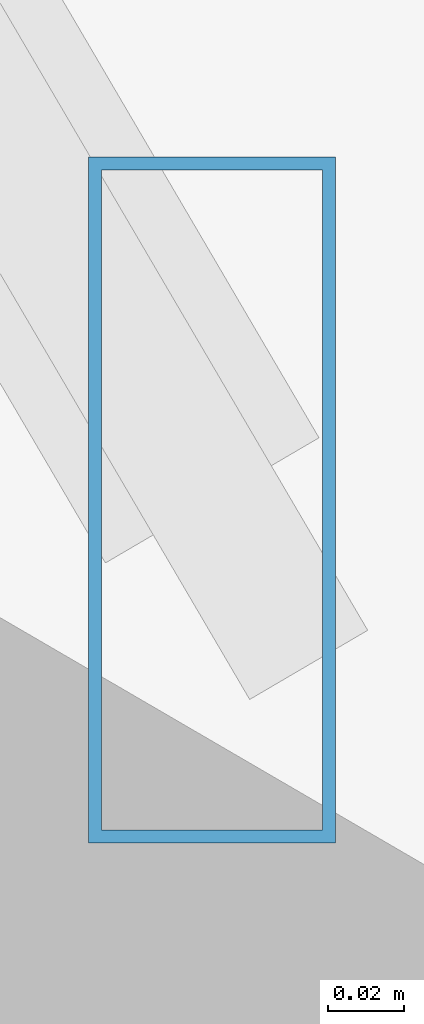
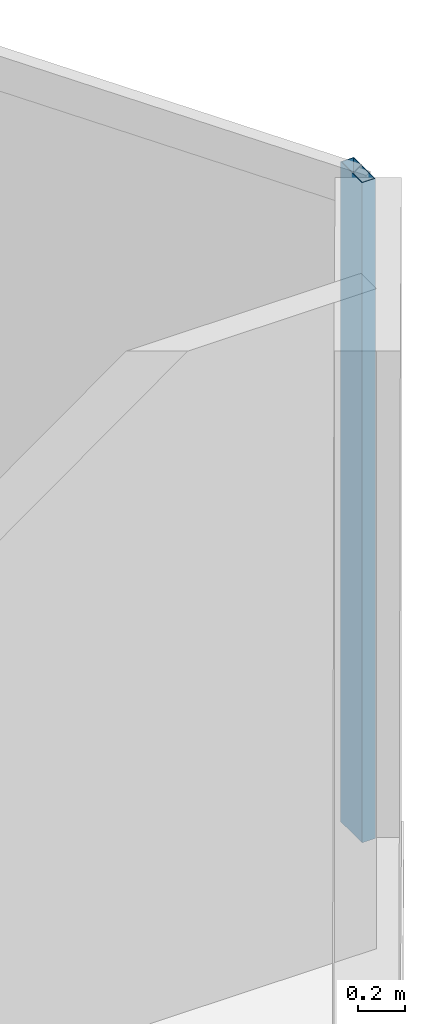
# One storey, part 14 of 29: 1 member, 1 element without a shape of its own.
"""IFC4 building model written with IfcOpenShell, lengths in metres."""

import ifcopenshell
import ifcopenshell.guid

model = None  # the IFC model being written
_history = None  # IfcOwnerHistory: only IFC2X3 demands one
_inside = {}  # id of a spatial element -> (the spatial element, [elements in it])
_under = {}  # id of a project, library or spatial element -> (it, [spatial elements below it])
_declared = {}  # id of a project -> (the project, [libraries it declares])
_typed = {}  # id of a type object -> (the type object, [elements of that type])
_made_of = {}  # id of a material, layer set ... -> (it, [elements and type objects made of it])


def new_model(schema):
    """Start an empty IFC model of exactly this schema.

    Asked for "IFC4X3", IfcOpenShell would pick the latest addendum, in which some entities
    have other attributes; the version numbers below select the first issue.
    IFC2X3 requires an IfcOwnerHistory on every rooted entity: one is made here for all.
    """
    global model, _history
    if schema == "IFC4X3":
        model = ifcopenshell.file(schema_version=(4, 3, 0, 0))
    else:
        model = ifcopenshell.file(schema=schema)
    _inside.clear()
    _under.clear()
    _declared.clear()
    _typed.clear()
    _made_of.clear()
    _history = None
    if model.schema == "IFC2X3":
        org = make("IfcOrganization", Name="unknown")
        user = make(
            "IfcPersonAndOrganization",
            ThePerson=make("IfcPerson", FamilyName="unknown"),
            TheOrganization=org,
        )
        app = make(
            "IfcApplication",
            ApplicationDeveloper=org,
            Version="unknown",
            ApplicationFullName="unknown",
            ApplicationIdentifier="unknown",
        )
        _history = make(
            "IfcOwnerHistory",
            OwningUser=user,
            OwningApplication=app,
            ChangeAction="ADDED",
            CreationDate=0,
        )
    return model


def make(cls, **values):
    """One entity of the class cls with the attributes given. An attribute that is None is left unset."""
    return model.create_entity(
        cls, **{name: value for name, value in values.items() if value is not None}
    )


def rooted(cls, **values):
    """An entity with a GlobalId (a new one), such as an element, a storey or a relation."""
    return make(cls, GlobalId=ifcopenshell.guid.new(), OwnerHistory=_history, **values)


def si_unit(unit_type, name, prefix=None):
    """IfcSIUnit, for example si_unit("LENGTHUNIT", "METRE", prefix="MILLI")."""
    return make("IfcSIUnit", UnitType=unit_type, Prefix=prefix, Name=name)


def assignment(units):
    """IfcUnitAssignment: the units of a project."""
    return None if units is None else make("IfcUnitAssignment", Units=units)


def point(xyz):
    """IfcCartesianPoint."""
    return None if xyz is None else make("IfcCartesianPoint", Coordinates=xyz)


def direction(xyz):
    """IfcDirection."""
    return None if xyz is None else make("IfcDirection", DirectionRatios=xyz)


def frame(location, z_axis=None, x_axis=None):
    """IfcAxis2Placement3D, a coordinate frame: its origin and axes. An axis left out is left unset."""
    return make(
        "IfcAxis2Placement3D",
        Location=point(location),
        Axis=direction(z_axis),
        RefDirection=direction(x_axis),
    )


def frame_2d(location, x_axis=None):
    """IfcAxis2Placement2D, a coordinate frame in the plane: its origin and x axis."""
    return make(
        "IfcAxis2Placement2D", Location=point(location), RefDirection=direction(x_axis)
    )


def origin():
    """The frame at (0, 0, 0) with its axes left unset."""
    return frame((0.0, 0.0, 0.0))


def origin_2d():
    """The frame at (0, 0) in the plane with its x axis left unset."""
    return frame_2d((0.0, 0.0))


def place(relative_to, where):
    """IfcLocalPlacement: puts the frame where relative to a parent placement (None: the world)."""
    return make(
        "IfcLocalPlacement", PlacementRelTo=relative_to, RelativePlacement=where
    )


def context(
    kind, dimensions, precision=None, world=None, true_north=None, identifier=None
):
    """IfcGeometricRepresentationContext, for example the 3D "Model" context."""
    return make(
        "IfcGeometricRepresentationContext",
        ContextIdentifier=identifier,
        ContextType=kind,
        CoordinateSpaceDimension=dimensions,
        Precision=precision,
        WorldCoordinateSystem=world,
        TrueNorth=true_north,
    )


def subcontext(parent, identifier, kind, view, scale=None):
    """IfcGeometricRepresentationSubContext, for example "Body" below "Model"."""
    return make(
        "IfcGeometricRepresentationSubContext",
        ContextIdentifier=identifier,
        ContextType=kind,
        ParentContext=parent,
        TargetScale=scale,
        TargetView=view,
    )


def project(units=None, contexts=None):
    """IfcProject with its units and contexts."""
    return rooted(
        "IfcProject",
        Name="project",
        RepresentationContexts=contexts,
        UnitsInContext=assignment(units),
    )


def spatial(cls, under=None, at=None, **own):
    """A site, building, storey or space (cls), placed at a placement, below another one or the project."""
    s = rooted(cls, ObjectPlacement=at, **own)
    if under is not None:
        _under.setdefault(under.id(), (under, []))[1].append(s)
    return s


def profile(cls, at=None, kind="AREA", **sizes):
    """A parametric profile (cls). Its sizes go by their IFC names, for example OverallWidth=200.0."""
    return make(cls, ProfileType=kind, Position=at, **sizes)


def hollow_rectangle(**sizes):
    """IfcRectangleHollowProfileDef."""
    return profile("IfcRectangleHollowProfileDef", **sizes)


def extrude(swept, where, along, depth):
    """IfcExtrudedAreaSolid: the profile swept, set in the frame where, extruded along a direction by depth."""
    return make(
        "IfcExtrudedAreaSolid",
        SweptArea=swept,
        Position=where,
        ExtrudedDirection=direction(along),
        Depth=depth,
    )


def shape(context_of_items, identifier, shape_type, items):
    """IfcShapeRepresentation: the items that make up one representation, for example the "Body"."""
    return make(
        "IfcShapeRepresentation",
        ContextOfItems=context_of_items,
        RepresentationIdentifier=identifier,
        RepresentationType=shape_type,
        Items=items,
    )


def source(mapping_origin, context_of_items, identifier, shape_type, items):
    """IfcRepresentationMap: a shape defined once, which mapped items show again and again."""
    return make(
        "IfcRepresentationMap",
        MappingOrigin=mapping_origin,
        MappedRepresentation=shape(context_of_items, identifier, shape_type, items),
    )


def transform(
    local_origin,
    x_axis=None,
    y_axis=None,
    z_axis=None,
    scale=None,
    scale2=None,
    scale3=None,
    uniform=True,
):
    """IfcCartesianTransformationOperator3D, or its non-uniform kind. x_axis, y_axis, z_axis: its Axis1, 2, 3."""
    if uniform:
        return make(
            "IfcCartesianTransformationOperator3D",
            Axis1=direction(x_axis),
            Axis2=direction(y_axis),
            LocalOrigin=point(local_origin),
            Scale=scale,
            Axis3=direction(z_axis),
        )
    return make(
        "IfcCartesianTransformationOperator3DnonUniform",
        Axis1=direction(x_axis),
        Axis2=direction(y_axis),
        LocalOrigin=point(local_origin),
        Scale=scale,
        Axis3=direction(z_axis),
        Scale2=scale2,
        Scale3=scale3,
    )


def mapped(mapping_source, mapping_target):
    """IfcMappedItem: shows the shape of a source again, moved by a transform."""
    return make(
        "IfcMappedItem", MappingSource=mapping_source, MappingTarget=mapping_target
    )


def material(Name=None, Category=None):
    """IfcMaterial."""
    return make("IfcMaterial", Name=Name, Category=Category)


def material_profile(
    of_material, cross_section, Name=None, Category=None, Priority=None
):
    """IfcMaterialProfile: a cross section and its material."""
    return make(
        "IfcMaterialProfile",
        Name=Name,
        Material=of_material,
        Profile=cross_section,
        Priority=Priority,
        Category=Category,
    )


def profile_set(profiles, Name=None, composite=None):
    """IfcMaterialProfileSet."""
    return make(
        "IfcMaterialProfileSet",
        Name=Name,
        MaterialProfiles=profiles,
        CompositeProfile=composite,
    )


def made_of(thing, what):
    """Note that an element or type object is made of a material, layer set ...; save() writes the relation."""
    if what is not None:
        _made_of.setdefault(what.id(), (what, []))[1].append(thing)
    return thing


def type_object(cls, material=None, **own):
    """A type object (cls), such as IfcWallType, which elements share."""
    return made_of(rooted(cls, **own), material)


def type_shapes(of_type, sources):
    """Give a type object the sources (RepresentationMaps) that its elements show as mapped items."""
    of_type.RepresentationMaps = sources


def element(
    cls,
    number,
    at=None,
    inside=None,
    cuts=None,
    type_object=None,
    material=None,
    context=None,
    identifier="Body",
    shape_type=None,
    held_by="IfcProductDefinitionShape",
    body=None,
    shapes=None,
    **own,
):
    """One element of the class cls, such as IfcWall. Its Tag is "e" and its number.

    at: its placement. inside: the storey or other place that contains it. cuts: it is an
    opening in that element (IfcRelVoidsElement). A single representation is given by context,
    identifier, shape_type and body (its items); several are given by shapes. held_by: the class
    of the entity that holds the representations. save() writes the other relations.
    """
    e = rooted(cls, Tag="e%d" % number, ObjectPlacement=at, **own)
    if body is not None:
        shapes = [shape(context, identifier, shape_type, body)]
    if shapes is not None:
        e.Representation = make(held_by, Representations=shapes)
    if inside is not None:
        _inside.setdefault(inside.id(), (inside, []))[1].append(e)
    if cuts is not None:
        rooted(
            "IfcRelVoidsElement", RelatingBuildingElement=cuts, RelatedOpeningElement=e
        )
    if type_object is not None:
        _typed.setdefault(type_object.id(), (type_object, []))[1].append(e)
    return made_of(e, material)


def aggregate(whole, parts):
    """IfcRelAggregates: a whole, such as a stair, and the parts it consists of."""
    return rooted("IfcRelAggregates", RelatingObject=whole, RelatedObjects=parts)


def save(model, path):
    """Write the relations noted so far, then the file.

    IfcRelAggregates (storeys below a building ...), IfcRelContainedInSpatialStructure (elements
    in a storey), IfcRelDefinesByType, IfcRelAssociatesMaterial and IfcRelDeclares: one each for
    every whole, place, type object, material and project.
    """
    for whole, parts in _under.values():
        aggregate(whole, parts)
    for where, things in _inside.values():
        rooted(
            "IfcRelContainedInSpatialStructure",
            RelatedElements=things,
            RelatingStructure=where,
        )
    for kind, things in _typed.values():
        rooted("IfcRelDefinesByType", RelatedObjects=things, RelatingType=kind)
    for what, things in _made_of.values():
        rooted("IfcRelAssociatesMaterial", RelatedObjects=things, RelatingMaterial=what)
    for by, libraries in _declared.values():
        rooted("IfcRelDeclares", RelatingContext=by, RelatedDefinitions=libraries)
    model.write(path)


model = new_model("IFC4")

# Units and contexts
model_context = context("Model", 3, precision=1e-05, world=origin(), true_north=direction((0.0, 1.0)))
body_context = subcontext(model_context, "Body", "Model", "MODEL_VIEW")
ifc_project = project(units=[si_unit("LENGTHUNIT", "METRE"), si_unit("AREAUNIT", "SQUARE_METRE"), si_unit("VOLUMEUNIT", "CUBIC_METRE"), si_unit("PLANEANGLEUNIT", "RADIAN"), si_unit("MASSUNIT", "GRAM", prefix="KILO")], contexts=[model_context])

# Site, building, storey
site_placement = place(None, origin())
site = spatial("IfcSite", under=ifc_project, at=site_placement, CompositionType="ELEMENT")
building_placement = place(site_placement, origin())
building = spatial("IfcBuilding", under=site, at=building_placement, Name="Caelisora Broadcast Tower", CompositionType="ELEMENT")
storey_placement = place(building_placement, frame((0.0, 0.0, 31.25)))
storey = spatial("IfcBuildingStorey", under=building, at=storey_placement, Name="L07", CompositionType="ELEMENT", Elevation=31.25)

# Curtain wall, member
ifc_material_1 = material(Name="Unitised Aluminium and Low-E Glass Curtain Wall", Category="glass")
curtain_wall_type = type_object("IfcCurtainWallType", Name="CW-Z1", PredefinedType="NOTDEFINED", material=ifc_material_1)
curtain_wall_placement = place(storey_placement, origin())
curtain_wall = element("IfcCurtainWall", 1, at=curtain_wall_placement, inside=storey, type_object=curtain_wall_type, Name="L07 curtain wall CW-Z1", PredefinedType="NOTDEFINED")
ifc_material_2 = material(Name="Aluminium 6063-T6 Anodised Terracotta Bronze", Category="aluminium")
ifc_material_profile = material_profile(ifc_material_2, hollow_rectangle(XDim=0.06494140625, YDim=0.179931640625, WallThickness=0.00341796875, at=origin_2d()), Name="Aluminium 6063-T6 Anodised Terracotta Bronze")
ifc_profile_set = profile_set([ifc_material_profile], Name="Aluminium 6063-T6 Anodised Terracotta Bronze")
member_type = type_object("IfcMemberType", Name="CWM-02", PredefinedType="MULLION", material=ifc_profile_set)
shared_shape = source(origin(), body_context, "Body", "SweptSolid", [
    extrude(hollow_rectangle(XDim=0.06494140625, YDim=0.179931640625, WallThickness=0.00341796875, at=origin_2d()), origin(), (0.0, 0.0, 1.0), 3.39990234375),
])
type_shapes(member_type, [shared_shape])
member_placement = place(storey_placement, frame((64.74658203125, 17.830078125, 0.0), z_axis=(0.0, 0.0, 1.0), x_axis=(1.0, 0.0, 0.0)))
member = element("IfcMember", 2, at=member_placement, type_object=member_type, Name="L07-CW-B03 mullion #3", PredefinedType="MULLION", context=body_context, shape_type="MappedRepresentation", body=[
    mapped(shared_shape, transform((0.0, 0.0, 0.0), scale=1.0)),
])
aggregate(curtain_wall, [member])

save(model, "model.ifc")
